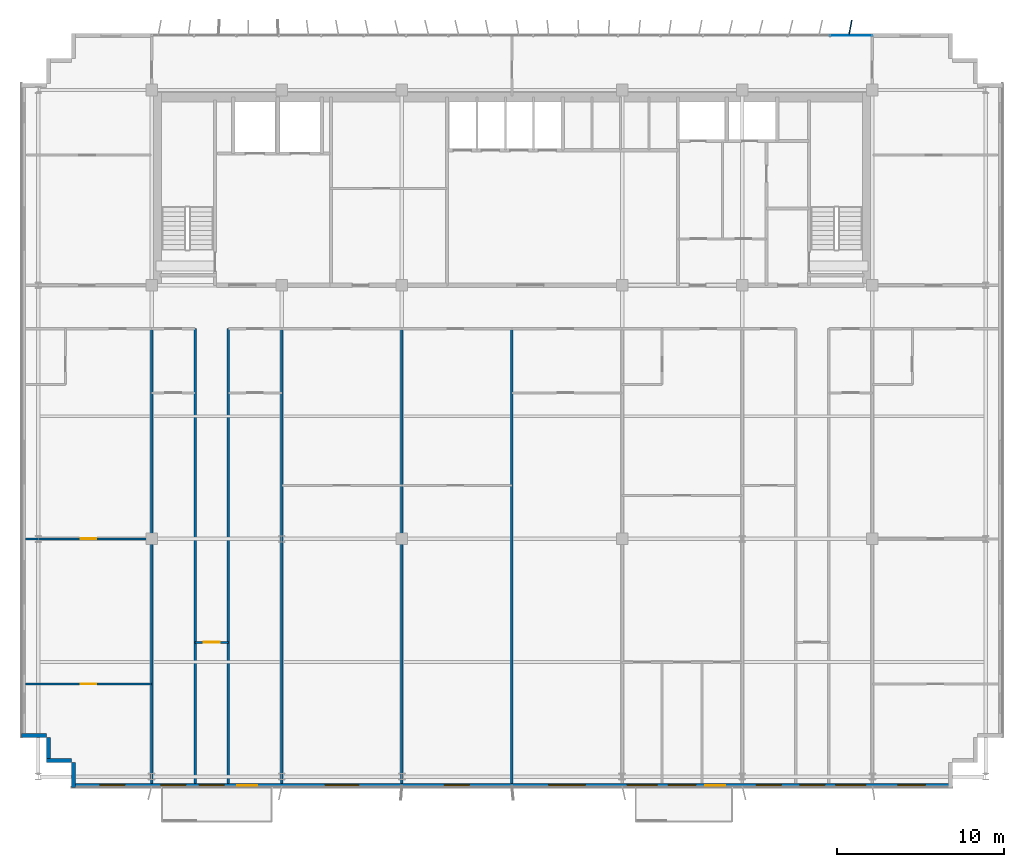
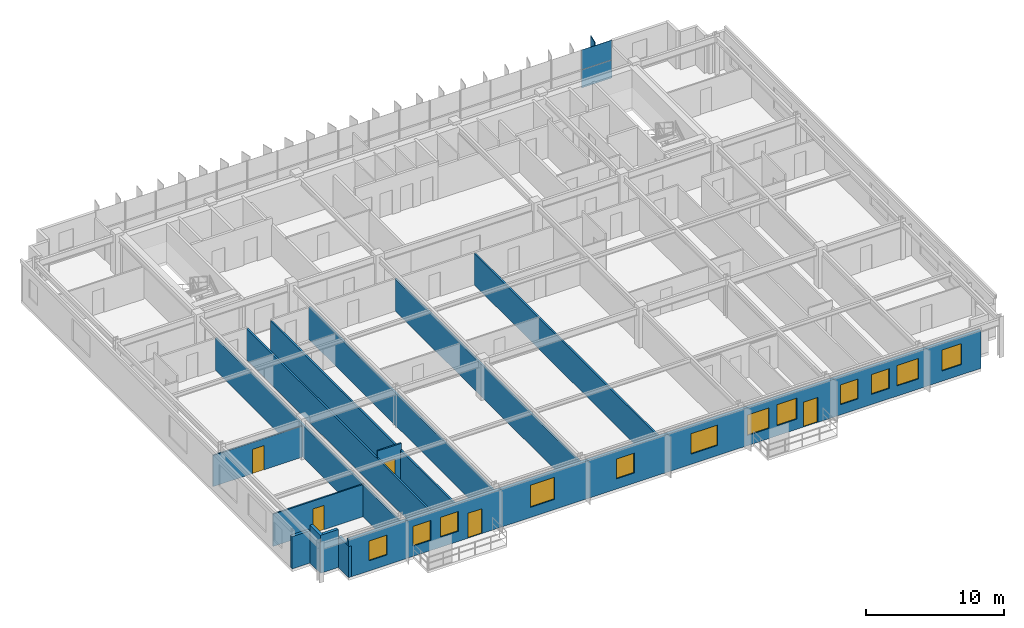
# One storey, part 14 of 20: 14 walls, 12 windows, 5 doors, 3 plates, 17 openings, 1 element without a shape of its own.
"""IFC4 building model written with IfcOpenShell, lengths in metres."""

from ifc_helpers import new_model, si_unit, direction, frame, frame_2d, origin, origin_2d, place, context, subcontext, project, spatial, rectangle, extrude, source, transform, mapped, material, layer, layer_set, type_object, element, fill, aggregate, save


model = new_model("IFC4")

# Units and contexts
model_context = context("Model", 3, precision=1e-05, world=origin(), true_north=direction((0.0, 1.0)))
body_context = subcontext(model_context, "Body", "Model", "MODEL_VIEW")
ifc_project = project(units=[si_unit("LENGTHUNIT", "METRE"), si_unit("AREAUNIT", "SQUARE_METRE"), si_unit("VOLUMEUNIT", "CUBIC_METRE"), si_unit("PLANEANGLEUNIT", "RADIAN"), si_unit("MASSUNIT", "GRAM", prefix="KILO")], contexts=[model_context])

# Site, building, storey
site_placement = place(None, origin())
site = spatial("IfcSite", under=ifc_project, at=site_placement, CompositionType="ELEMENT")
building_placement = place(site_placement, origin())
building = spatial("IfcBuilding", under=site, at=building_placement, Name="Trelvane Seafront Commons", CompositionType="ELEMENT")
storey_placement = place(building_placement, frame((0.0, 0.0, 168.10009765625)))
storey = spatial("IfcBuildingStorey", under=building, at=storey_placement, Name="L44", CompositionType="ELEMENT", Elevation=168.10009765625)

# Plate
ifc_material_1 = material(Name="Anodised pale-silver aluminium", Category="aluminium")
ifc_layer_1 = layer(ifc_material_1, 0.06005859375, Name="ARCH-PLATE-FIN900")
ifc_layer_set_1 = layer_set([ifc_layer_1], Name="Anodised pale-silver aluminium")
plate_type_1 = type_object("IfcPlateType", Name="ARCH-PLATE-FIN900", PredefinedType="USERDEFINED", material=ifc_layer_set_1)
shared_shape_1 = source(origin(), body_context, "Body", "SweptSolid", [
    extrude(rectangle(XDim=0.89990234375, YDim=0.06005859375, at=origin_2d()), origin(), (0.0, 0.0, 1.0), 3.639892578125),
])
plate_1_placement = place(storey_placement, frame((57.481689453125, 48.842529296875, -0.02001953125), z_axis=(0.0, 0.0, 1.0), x_axis=(0.181670897411, 0.983359387525, 0.0)))
element("IfcPlate", 1, at=plate_1_placement, inside=storey, type_object=plate_type_1, Name="FIN-L44-01239", ObjectType="FIN", PredefinedType="USERDEFINED", context=body_context, shape_type="MappedRepresentation", body=[
    mapped(shared_shape_1, transform((0.0, 0.0, 0.0), x_axis=(1.0, 0.0, 0.0), y_axis=(0.0, 1.0, 0.0), z_axis=(0.0, 0.0, 1.0), scale=1.0)),
])

# Curtain wall, plates
curtain_wall_type = type_object("IfcCurtainWallType", Name="ARCH-CW5-UPTOWER", PredefinedType="NOTDEFINED", material=ifc_material_1)
curtain_wall_placement = place(storey_placement, origin())
curtain_wall = element("IfcCurtainWall", 2, at=curtain_wall_placement, inside=storey, type_object=curtain_wall_type, Name="CW-L44-0071", PredefinedType="NOTDEFINED")
ifc_material_2 = material(Name="Low-E coastal double glazing", Category="glass")
ifc_layer_2 = layer(ifc_material_2, 0.033935546875, Name="ARCH-CW-GLAZ-34")
ifc_layer_set_2 = layer_set([ifc_layer_2], Name="Low-E coastal double glazing")
plate_type_2 = type_object("IfcPlateType", Name="ARCH-CW-GLAZ-34", PredefinedType="CURTAIN_PANEL", material=ifc_layer_set_2)
shared_shape_2 = source(origin(), body_context, "Body", "SweptSolid", [
    extrude(rectangle(XDim=2.51708984375, YDim=0.033935546875, at=origin_2d()), origin(), (0.0, 0.0, 1.0), 1.590087890625),
])
plate_2_placement = place(storey_placement, frame((57.529296875, 48.3701171875, 0.0), z_axis=(0.0, 0.0, 1.0), x_axis=(1.0, 0.0, 0.0)))
plate_2 = element("IfcPlate", 3, at=plate_2_placement, type_object=plate_type_2, Name="CW-L44-0071-P16-1", PredefinedType="CURTAIN_PANEL", context=body_context, shape_type="MappedRepresentation", body=[
    mapped(shared_shape_2, transform((0.0, 0.0, 0.0), x_axis=(1.0, 0.0, 0.0), y_axis=(0.0, 1.0, 0.0), z_axis=(0.0, 0.0, 1.0), scale=1.0)),
])
shared_shape_3 = source(origin(), body_context, "Body", "SweptSolid", [
    extrude(rectangle(XDim=2.51708984375, YDim=0.033935546875, at=origin_2d()), origin(), (0.0, 0.0, 1.0), 1.72412109375),
])
plate_3_placement = place(storey_placement, frame((57.529296875, 48.3701171875, 1.625732421875), z_axis=(0.0, 0.0, 1.0), x_axis=(1.0, 0.0, 0.0)))
plate_3 = element("IfcPlate", 4, at=plate_3_placement, type_object=plate_type_2, Name="CW-L44-0071-P16-2", PredefinedType="CURTAIN_PANEL", context=body_context, shape_type="MappedRepresentation", body=[
    mapped(shared_shape_3, transform((0.0, 0.0, 0.0), x_axis=(1.0, 0.0, 0.0), y_axis=(0.0, 1.0, 0.0), z_axis=(0.0, 0.0, 1.0), scale=1.0)),
])
aggregate(curtain_wall, [plate_2, plate_3])

# Walls
ifc_material_3 = material(Name="Precast concrete C40/50", Category="concrete")
ifc_layer_3 = layer(ifc_material_3, 0.239990234375, Name="ARCH-WALL-EXT240")
ifc_layer_set_3 = layer_set([ifc_layer_3], Name="Precast concrete C40/50")
wall_type_1 = type_object("IfcWallType", Name="ARCH-WALL-EXT240", PredefinedType="SOLIDWALL", material=ifc_layer_set_3)
for number, where, z_axis, x_axis, name in (
    (5, (10.800048828125, 4.919921875, 0.0), (0.0, 0.0, 1.0), (-1.0, 0.0, 0.0), "EW-L44-00865"),
    (6, (9.419921875, 4.800048828125, 0.0), (0.0, 0.0, 1.0), (0.0, 1.0, 0.0), "EW-L44-00866"),
):
    element("IfcWall", number, at=place(storey_placement, frame(where, z_axis=z_axis, x_axis=x_axis)), inside=storey, type_object=wall_type_1, Name=name, PredefinedType="SOLIDWALL", context=body_context, shape_type="SweptSolid", body=[
        extrude(rectangle(XDim=1.5, YDim=0.239990234375, at=frame_2d((0.75, 0.0))), origin(), (0.0, 0.0, 1.0), 3.349853515625),
    ])
wall_1_placement = place(storey_placement, frame((9.300048828125, 6.419921875, 0.0), z_axis=(0.0, 0.0, 1.0), x_axis=(-1.0, 0.0, 0.0)))
element("IfcWall", 7, at=wall_1_placement, inside=storey, type_object=wall_type_1, Name="EW-L44-00867", PredefinedType="SOLIDWALL", context=body_context, shape_type="SweptSolid", body=[
    extrude(rectangle(XDim=1.5, YDim=0.239990234375, at=frame_2d((0.75, 0.0))), origin(), (0.0, 0.0, 1.0), 2.849853515625),
])

# Wall, openings, doors, windows
wall_2_placement = place(storey_placement, frame((63.60009765625, 3.419921875, 0.0), z_axis=(0.0, 0.0, 1.0), x_axis=(-1.0, 0.0, 0.0)))
wall_2 = element("IfcWall", 8, at=wall_2_placement, inside=storey, type_object=wall_type_1, Name="EW-L44-00882", PredefinedType="SOLIDWALL", context=body_context, shape_type="SweptSolid", body=[
    extrude(rectangle(XDim=52.800048828125, YDim=0.239990234375, at=frame_2d((26.39990234375, 0.0))), origin(), (0.0, 0.0, 1.0), 3.349853515625),
])
opening_1_placement = place(wall_2_placement, frame((1.6201171875, 0.0, 0.89990234375)))
opening_1 = element("IfcOpeningElement", 9, at=opening_1_placement, cuts=wall_2, Name="Opening W07", PredefinedType="OPENING", context=body_context, shape_type="SweptSolid", body=[
    extrude(rectangle(XDim=1.64990234375, YDim=1.85009765625, at=frame_2d((0.824951171875, 0.925048828125))), frame((0.0, 0.1298828125, 0.0), z_axis=(0.0, -1.0, 0.0), x_axis=(1.0, 0.0, 0.0)), (0.0, 0.0, 1.0), 0.260009765625),
])
opening_2_placement = place(wall_2_placement, frame((5.199951171875, 0.0, 0.89990234375)))
opening_2 = element("IfcOpeningElement", 10, at=opening_2_placement, cuts=wall_2, Name="Opening W01", PredefinedType="OPENING", context=body_context, shape_type="SweptSolid", body=[
    extrude(rectangle(XDim=1.800048828125, YDim=1.800048828125, at=frame_2d((0.89990234375, 0.89990234375))), frame((0.0, 0.1298828125, 0.0), z_axis=(0.0, -1.0, 0.0), x_axis=(1.0, 0.0, 0.0)), (0.0, 0.0, 1.0), 0.260009765625),
])
opening_3_placement = place(wall_2_placement, frame((7.64990234375, 0.0, 0.89990234375)))
opening_3 = element("IfcOpeningElement", 11, at=opening_3_placement, cuts=wall_2, Name="Opening W03", PredefinedType="OPENING", context=body_context, shape_type="SweptSolid", body=[
    extrude(rectangle(XDim=1.5, YDim=1.75, at=frame_2d((0.75, 0.875))), frame((0.0, 0.1298828125, 0.0), z_axis=(0.0, -1.0, 0.0), x_axis=(1.0, 0.0, 0.0)), (0.0, 0.0, 1.0), 0.260009765625),
])
opening_4_placement = place(wall_2_placement, frame((10.25, 0.0, 0.89990234375)))
opening_4 = element("IfcOpeningElement", 12, at=opening_4_placement, cuts=wall_2, Name="Opening W03", PredefinedType="OPENING", context=body_context, shape_type="SweptSolid", body=[
    extrude(rectangle(XDim=1.5, YDim=1.75, at=frame_2d((0.75, 0.875))), frame((0.0, 0.1298828125, 0.0), z_axis=(0.0, -1.0, 0.0), x_axis=(1.0, 0.0, 0.0)), (0.0, 0.0, 1.0), 0.260009765625),
])
opening_5_placement = place(wall_2_placement, frame((13.6201171875, 0.0, 0.0)))
opening_5 = element("IfcOpeningElement", 13, at=opening_5_placement, cuts=wall_2, Name="Opening BD-L44-101", PredefinedType="OPENING", context=body_context, shape_type="SweptSolid", body=[
    extrude(rectangle(XDim=1.199951171875, YDim=2.199951171875, at=frame_2d((0.60009765625, 1.10009765625))), frame((0.0, 0.1298828125, 0.0), z_axis=(0.0, -1.0, 0.0), x_axis=(1.0, 0.0, 0.0)), (0.0, 0.0, 1.0), 0.260009765625),
])
opening_6_placement = place(wall_2_placement, frame((15.375, 0.0, 0.89990234375)))
opening_6 = element("IfcOpeningElement", 14, at=opening_6_placement, cuts=wall_2, Name="Opening W07", PredefinedType="OPENING", context=body_context, shape_type="SweptSolid", body=[
    extrude(rectangle(XDim=1.64990234375, YDim=1.85009765625, at=frame_2d((0.824951171875, 0.925048828125))), frame((0.0, 0.1298828125, 0.0), z_axis=(0.0, -1.0, 0.0), x_axis=(1.0, 0.0, 0.0)), (0.0, 0.0, 1.0), 0.260009765625),
])
opening_7_placement = place(wall_2_placement, frame((17.699951171875, 0.0, 0.89990234375)))
opening_7 = element("IfcOpeningElement", 15, at=opening_7_placement, cuts=wall_2, Name="Opening W01", PredefinedType="OPENING", context=body_context, shape_type="SweptSolid", body=[
    extrude(rectangle(XDim=1.800048828125, YDim=1.800048828125, at=frame_2d((0.89990234375, 0.89990234375))), frame((0.0, 0.1298828125, 0.0), z_axis=(0.0, -1.0, 0.0), x_axis=(1.0, 0.0, 0.0)), (0.0, 0.0, 1.0), 0.260009765625),
])
opening_8_placement = place(wall_2_placement, frame((22.0, 0.0, 0.89990234375)))
opening_8 = element("IfcOpeningElement", 16, at=opening_8_placement, cuts=wall_2, Name="Opening W02", PredefinedType="OPENING", context=body_context, shape_type="SweptSolid", body=[
    extrude(rectangle(XDim=2.199951171875, YDim=1.800048828125, at=frame_2d((1.10009765625, 0.89990234375))), frame((0.0, 0.1298828125, 0.0), z_axis=(0.0, -1.0, 0.0), x_axis=(1.0, 0.0, 0.0)), (0.0, 0.0, 1.0), 0.260009765625),
])
opening_9_placement = place(wall_2_placement, frame((28.949951171875, 0.0, 0.89990234375)))
opening_9 = element("IfcOpeningElement", 17, at=opening_9_placement, cuts=wall_2, Name="Opening W03", PredefinedType="OPENING", context=body_context, shape_type="SweptSolid", body=[
    extrude(rectangle(XDim=1.5, YDim=1.75, at=frame_2d((0.75, 0.875))), frame((0.0, 0.1298828125, 0.0), z_axis=(0.0, -1.0, 0.0), x_axis=(1.0, 0.0, 0.0)), (0.0, 0.0, 1.0), 0.260009765625),
])
opening_10_placement = place(wall_2_placement, frame((35.60009765625, 0.0, 0.89990234375)))
opening_10 = element("IfcOpeningElement", 18, at=opening_10_placement, cuts=wall_2, Name="Opening W06", PredefinedType="OPENING", context=body_context, shape_type="SweptSolid", body=[
    extrude(rectangle(XDim=2.0, YDim=1.949951171875, at=frame_2d((1.0, 0.97509765625))), frame((0.0, 0.1298828125, 0.0), z_axis=(0.0, -1.0, 0.0), x_axis=(1.0, 0.0, 0.0)), (0.0, 0.0, 1.0), 0.260009765625),
])
opening_11_placement = place(wall_2_placement, frame((41.656005859375, 0.0, 0.0)))
opening_11 = element("IfcOpeningElement", 19, at=opening_11_placement, cuts=wall_2, Name="Opening BD-L44-102", PredefinedType="OPENING", context=body_context, shape_type="SweptSolid", body=[
    extrude(rectangle(XDim=1.199951171875, YDim=2.199951171875, at=frame_2d((0.60009765625, 1.10009765625))), frame((0.0, 0.1298828125, 0.0), z_axis=(0.0, -1.0, 0.0), x_axis=(1.0, 0.0, 0.0)), (0.0, 0.0, 1.0), 0.260009765625),
])
opening_12_placement = place(wall_2_placement, frame((43.64990234375, 0.0, 0.89990234375)))
opening_12 = element("IfcOpeningElement", 20, at=opening_12_placement, cuts=wall_2, Name="Opening W03", PredefinedType="OPENING", context=body_context, shape_type="SweptSolid", body=[
    extrude(rectangle(XDim=1.5, YDim=1.75, at=frame_2d((0.75, 0.875))), frame((0.0, 0.1298828125, 0.0), z_axis=(0.0, -1.0, 0.0), x_axis=(1.0, 0.0, 0.0)), (0.0, 0.0, 1.0), 0.260009765625),
])
opening_13_placement = place(wall_2_placement, frame((45.949951171875, 0.0, 0.89990234375)))
opening_13 = element("IfcOpeningElement", 21, at=opening_13_placement, cuts=wall_2, Name="Opening W03", PredefinedType="OPENING", context=body_context, shape_type="SweptSolid", body=[
    extrude(rectangle(XDim=1.5, YDim=1.75, at=frame_2d((0.75, 0.875))), frame((0.0, 0.1298828125, 0.0), z_axis=(0.0, -1.0, 0.0), x_axis=(1.0, 0.0, 0.0)), (0.0, 0.0, 1.0), 0.260009765625),
])
opening_14_placement = place(wall_2_placement, frame((49.60498046875, 0.0, 0.89990234375)))
opening_14 = element("IfcOpeningElement", 22, at=opening_14_placement, cuts=wall_2, Name="Opening W03", PredefinedType="OPENING", context=body_context, shape_type="SweptSolid", body=[
    extrude(rectangle(XDim=1.5, YDim=1.75, at=frame_2d((0.75, 0.875))), frame((0.0, 0.1298828125, 0.0), z_axis=(0.0, -1.0, 0.0), x_axis=(1.0, 0.0, 0.0)), (0.0, 0.0, 1.0), 0.260009765625),
])
ifc_material_4 = material(Name="Powder-coated aluminium frame", Category="aluminium")
door_type_1 = type_object("IfcDoorType", Name="ARCH-DR-BAL1200", OperationType="NOTDEFINED", PredefinedType="DOOR", material=ifc_material_4)
shared_shape_4 = source(origin(), body_context, "Body", "SweptSolid", [
    extrude(rectangle(XDim=1.199951171875, YDim=2.199951171875, at=frame_2d((0.60009765625, 1.10009765625))), frame((0.0, 0.02490234375, 0.0), z_axis=(0.0, -1.0, 0.0), x_axis=(1.0, 0.0, 0.0)), (0.0, 0.0, 1.0), 0.050048828125),
])
door_1_placement = place(opening_5_placement, origin())
door_1 = element("IfcDoor", 23, at=door_1_placement, inside=storey, type_object=door_type_1, Name="L44 Balcony Terrace Access Door", OperationType="SINGLE_SWING_LEFT", OverallHeight=2.199951171875, OverallWidth=1.199951171875, PredefinedType="DOOR", context=body_context, shape_type="MappedRepresentation", body=[
    mapped(shared_shape_4, transform((0.0, 0.0, 0.0), x_axis=(1.0, 0.0, 0.0), y_axis=(0.0, 1.0, 0.0), z_axis=(0.0, 0.0, 1.0), scale=1.0)),
])
fill(opening_5, door_1)
door_2_placement = place(opening_11_placement, origin())
door_2 = element("IfcDoor", 24, at=door_2_placement, inside=storey, type_object=door_type_1, Name="L44 Balcony Terrace Access Door", OperationType="SINGLE_SWING_LEFT", OverallHeight=2.199951171875, OverallWidth=1.199951171875, PredefinedType="DOOR", context=body_context, shape_type="MappedRepresentation", body=[
    mapped(shared_shape_4, transform((0.0, 0.0, 0.0), x_axis=(1.0, 0.0, 0.0), y_axis=(0.0, 1.0, 0.0), z_axis=(0.0, 0.0, 1.0), scale=1.0)),
])
fill(opening_11, door_2)
window_type_1 = type_object("IfcWindowType", Name="ARCH-WIN-W02", PartitioningType="SINGLE_PANEL", PredefinedType="WINDOW", material=ifc_material_2)
shared_shape_5 = source(origin(), body_context, "Body", "SweptSolid", [
    extrude(rectangle(XDim=2.199951171875, YDim=1.800048828125, at=frame_2d((1.10009765625, 0.89990234375))), frame((0.0, 0.030029296875, 0.0), z_axis=(0.0, -1.0, 0.0), x_axis=(1.0, 0.0, 0.0)), (0.0, 0.0, 1.0), 0.06005859375),
])
window_1_placement = place(opening_8_placement, origin())
window_1 = element("IfcWindow", 25, at=window_1_placement, inside=storey, type_object=window_type_1, Name="WIN-L44-01058", OverallHeight=1.800048828125, OverallWidth=2.199951171875, PartitioningType="SINGLE_PANEL", PredefinedType="WINDOW", context=body_context, shape_type="MappedRepresentation", body=[
    mapped(shared_shape_5, transform((0.0, 0.0, 0.0), x_axis=(1.0, 0.0, 0.0), y_axis=(0.0, 1.0, 0.0), z_axis=(0.0, 0.0, 1.0), scale=1.0)),
])
fill(opening_8, window_1)
window_type_2 = type_object("IfcWindowType", Name="ARCH-WIN-W03", PartitioningType="SINGLE_PANEL", PredefinedType="WINDOW", material=ifc_material_2)
shared_shape_6 = source(origin(), body_context, "Body", "SweptSolid", [
    extrude(rectangle(XDim=1.5, YDim=1.75, at=frame_2d((0.75, 0.875))), frame((0.0, 0.030029296875, 0.0), z_axis=(0.0, -1.0, 0.0), x_axis=(1.0, 0.0, 0.0)), (0.0, 0.0, 1.0), 0.06005859375),
])
window_2_placement = place(opening_3_placement, origin())
window_2 = element("IfcWindow", 26, at=window_2_placement, inside=storey, type_object=window_type_2, Name="WIN-L44-01054", OverallHeight=1.75, OverallWidth=1.5, PartitioningType="SINGLE_PANEL", PredefinedType="WINDOW", context=body_context, shape_type="MappedRepresentation", body=[
    mapped(shared_shape_6, transform((0.0, 0.0, 0.0), x_axis=(1.0, 0.0, 0.0), y_axis=(0.0, 1.0, 0.0), z_axis=(0.0, 0.0, 1.0), scale=1.0)),
])
fill(opening_3, window_2)
window_3_placement = place(opening_4_placement, origin())
window_3 = element("IfcWindow", 27, at=window_3_placement, inside=storey, type_object=window_type_2, Name="WIN-L44-01055", OverallHeight=1.75, OverallWidth=1.5, PartitioningType="SINGLE_PANEL", PredefinedType="WINDOW", context=body_context, shape_type="MappedRepresentation", body=[
    mapped(shared_shape_6, transform((0.0, 0.0, 0.0), x_axis=(1.0, 0.0, 0.0), y_axis=(0.0, 1.0, 0.0), z_axis=(0.0, 0.0, 1.0), scale=1.0)),
])
fill(opening_4, window_3)
window_4_placement = place(opening_9_placement, origin())
window_4 = element("IfcWindow", 28, at=window_4_placement, inside=storey, type_object=window_type_2, Name="WIN-L44-01059", OverallHeight=1.75, OverallWidth=1.5, PartitioningType="SINGLE_PANEL", PredefinedType="WINDOW", context=body_context, shape_type="MappedRepresentation", body=[
    mapped(shared_shape_6, transform((0.0, 0.0, 0.0), x_axis=(1.0, 0.0, 0.0), y_axis=(0.0, 1.0, 0.0), z_axis=(0.0, 0.0, 1.0), scale=1.0)),
])
fill(opening_9, window_4)
window_5_placement = place(opening_12_placement, origin())
window_5 = element("IfcWindow", 29, at=window_5_placement, inside=storey, type_object=window_type_2, Name="WIN-L44-01061", OverallHeight=1.75, OverallWidth=1.5, PartitioningType="SINGLE_PANEL", PredefinedType="WINDOW", context=body_context, shape_type="MappedRepresentation", body=[
    mapped(shared_shape_6, transform((0.0, 0.0, 0.0), x_axis=(1.0, 0.0, 0.0), y_axis=(0.0, 1.0, 0.0), z_axis=(0.0, 0.0, 1.0), scale=1.0)),
])
fill(opening_12, window_5)
window_6_placement = place(opening_13_placement, origin())
window_6 = element("IfcWindow", 30, at=window_6_placement, inside=storey, type_object=window_type_2, Name="WIN-L44-01062", OverallHeight=1.75, OverallWidth=1.5, PartitioningType="SINGLE_PANEL", PredefinedType="WINDOW", context=body_context, shape_type="MappedRepresentation", body=[
    mapped(shared_shape_6, transform((0.0, 0.0, 0.0), x_axis=(1.0, 0.0, 0.0), y_axis=(0.0, 1.0, 0.0), z_axis=(0.0, 0.0, 1.0), scale=1.0)),
])
fill(opening_13, window_6)
window_7_placement = place(opening_14_placement, origin())
window_7 = element("IfcWindow", 31, at=window_7_placement, inside=storey, type_object=window_type_2, Name="WIN-L44-01063", OverallHeight=1.75, OverallWidth=1.5, PartitioningType="SINGLE_PANEL", PredefinedType="WINDOW", context=body_context, shape_type="MappedRepresentation", body=[
    mapped(shared_shape_6, transform((0.0, 0.0, 0.0), x_axis=(1.0, 0.0, 0.0), y_axis=(0.0, 1.0, 0.0), z_axis=(0.0, 0.0, 1.0), scale=1.0)),
])
fill(opening_14, window_7)
window_type_3 = type_object("IfcWindowType", Name="ARCH-WIN-W06", PartitioningType="SINGLE_PANEL", PredefinedType="WINDOW", material=ifc_material_2)
shared_shape_7 = source(origin(), body_context, "Body", "SweptSolid", [
    extrude(rectangle(XDim=2.0, YDim=1.949951171875, at=frame_2d((1.0, 0.97509765625))), frame((0.0, 0.030029296875, 0.0), z_axis=(0.0, -1.0, 0.0), x_axis=(1.0, 0.0, 0.0)), (0.0, 0.0, 1.0), 0.06005859375),
])
window_8_placement = place(opening_10_placement, origin())
window_8 = element("IfcWindow", 32, at=window_8_placement, inside=storey, type_object=window_type_3, Name="WIN-L44-01060", OverallHeight=1.949951171875, OverallWidth=2.0, PartitioningType="SINGLE_PANEL", PredefinedType="WINDOW", context=body_context, shape_type="MappedRepresentation", body=[
    mapped(shared_shape_7, transform((0.0, 0.0, 0.0), x_axis=(1.0, 0.0, 0.0), y_axis=(0.0, 1.0, 0.0), z_axis=(0.0, 0.0, 1.0), scale=1.0)),
])
fill(opening_10, window_8)
window_type_4 = type_object("IfcWindowType", Name="ARCH-WIN-W01", PartitioningType="SINGLE_PANEL", PredefinedType="WINDOW", material=ifc_material_2)
shared_shape_8 = source(origin(), body_context, "Body", "SweptSolid", [
    extrude(rectangle(XDim=1.800048828125, YDim=1.800048828125, at=frame_2d((0.89990234375, 0.89990234375))), frame((0.0, 0.030029296875, 0.0), z_axis=(0.0, -1.0, 0.0), x_axis=(1.0, 0.0, 0.0)), (0.0, 0.0, 1.0), 0.06005859375),
])
window_9_placement = place(opening_2_placement, origin())
window_9 = element("IfcWindow", 33, at=window_9_placement, inside=storey, type_object=window_type_4, Name="WIN-L44-01053", OverallHeight=1.800048828125, OverallWidth=1.800048828125, PartitioningType="SINGLE_PANEL", PredefinedType="WINDOW", context=body_context, shape_type="MappedRepresentation", body=[
    mapped(shared_shape_8, transform((0.0, 0.0, 0.0), x_axis=(1.0, 0.0, 0.0), y_axis=(0.0, 1.0, 0.0), z_axis=(0.0, 0.0, 1.0), scale=1.0)),
])
fill(opening_2, window_9)
window_10_placement = place(opening_7_placement, origin())
window_10 = element("IfcWindow", 34, at=window_10_placement, inside=storey, type_object=window_type_4, Name="WIN-L44-01057", OverallHeight=1.800048828125, OverallWidth=1.800048828125, PartitioningType="SINGLE_PANEL", PredefinedType="WINDOW", context=body_context, shape_type="MappedRepresentation", body=[
    mapped(shared_shape_8, transform((0.0, 0.0, 0.0), x_axis=(1.0, 0.0, 0.0), y_axis=(0.0, 1.0, 0.0), z_axis=(0.0, 0.0, 1.0), scale=1.0)),
])
fill(opening_7, window_10)
window_type_5 = type_object("IfcWindowType", Name="ARCH-WIN-W07", PartitioningType="SINGLE_PANEL", PredefinedType="WINDOW", material=ifc_material_2)
shared_shape_9 = source(origin(), body_context, "Body", "SweptSolid", [
    extrude(rectangle(XDim=1.64990234375, YDim=1.85009765625, at=frame_2d((0.824951171875, 0.925048828125))), frame((0.0, 0.030029296875, 0.0), z_axis=(0.0, -1.0, 0.0), x_axis=(1.0, 0.0, 0.0)), (0.0, 0.0, 1.0), 0.06005859375),
])
window_11_placement = place(opening_1_placement, origin())
window_11 = element("IfcWindow", 35, at=window_11_placement, inside=storey, type_object=window_type_5, Name="WIN-L44-01052", OverallHeight=1.85009765625, OverallWidth=1.64990234375, PartitioningType="SINGLE_PANEL", PredefinedType="WINDOW", context=body_context, shape_type="MappedRepresentation", body=[
    mapped(shared_shape_9, transform((0.0, 0.0, 0.0), x_axis=(1.0, 0.0, 0.0), y_axis=(0.0, 1.0, 0.0), z_axis=(0.0, 0.0, 1.0), scale=1.0)),
])
fill(opening_1, window_11)
window_12_placement = place(opening_6_placement, origin())
window_12 = element("IfcWindow", 36, at=window_12_placement, inside=storey, type_object=window_type_5, Name="WIN-L44-01056", OverallHeight=1.85009765625, OverallWidth=1.64990234375, PartitioningType="SINGLE_PANEL", PredefinedType="WINDOW", context=body_context, shape_type="MappedRepresentation", body=[
    mapped(shared_shape_9, transform((0.0, 0.0, 0.0), x_axis=(1.0, 0.0, 0.0), y_axis=(0.0, 1.0, 0.0), z_axis=(0.0, 0.0, 1.0), scale=1.0)),
])
fill(opening_6, window_12)

# Wall
wall_3_placement = place(storey_placement, frame((10.919921875, 3.300048828125, 0.0), z_axis=(0.0, 0.0, 1.0), x_axis=(0.0, 1.0, 0.0)))
element("IfcWall", 37, at=wall_3_placement, inside=storey, type_object=wall_type_1, Name="EW-L44-00883", PredefinedType="SOLIDWALL", context=body_context, shape_type="SweptSolid", body=[
    extrude(rectangle(XDim=1.5, YDim=0.239990234375, at=frame_2d((0.75, 0.0))), origin(), (0.0, 0.0, 1.0), 2.75),
])

# Wall, opening, door
ifc_material_5 = material(Name="Gypsum Drywall Acoustic Partition")
ifc_layer_4 = layer(ifc_material_5, 0.1201171875, Name="ARCH-WALL-PART120")
ifc_layer_set_4 = layer_set([ifc_layer_4], Name="Gypsum Drywall Acoustic Partition")
wall_type_2 = type_object("IfcWallType", Name="ARCH-WALL-PART120", PredefinedType="PARTITIONING", material=ifc_layer_set_4)
wall_4_placement = place(storey_placement, frame((8.0400390625, 18.199951171875, 0.0), z_axis=(0.0, 0.0, 1.0), x_axis=(1.0, 0.0, 0.0)))
wall_4 = element("IfcWall", 38, at=wall_4_placement, inside=storey, type_object=wall_type_2, Name="W-L44-U1-KL-050", PredefinedType="PARTITIONING", context=body_context, shape_type="SweptSolid", body=[
    extrude(rectangle(XDim=7.56005859375, YDim=0.1201171875, at=frame_2d((3.780029296875, 0.0))), origin(), (0.0, 0.0, 1.0), 2.75),
])
opening_15_placement = place(wall_4_placement, frame((3.304931640625, 0.0, 0.0)))
opening_15 = element("IfcOpeningElement", 39, at=opening_15_placement, cuts=wall_4, Name="Opening D-L44-27", PredefinedType="OPENING", context=body_context, shape_type="SweptSolid", body=[
    extrude(rectangle(XDim=0.949951171875, YDim=2.14990234375, at=frame_2d((0.47509765625, 1.074951171875))), frame((0.0, 0.070068359375, 0.0), z_axis=(0.0, -1.0, 0.0), x_axis=(1.0, 0.0, 0.0)), (0.0, 0.0, 1.0), 0.14013671875),
])
ifc_material_6 = material(Name="Acoustic timber door leaf", Category="wood")
door_type_2 = type_object("IfcDoorType", Name="ARCH-DR-INT950", OperationType="NOTDEFINED", PredefinedType="DOOR", material=ifc_material_6)
shared_shape_10 = source(origin(), body_context, "Body", "SweptSolid", [
    extrude(rectangle(XDim=0.949951171875, YDim=2.14990234375, at=frame_2d((0.47509765625, 1.074951171875))), frame((0.0, 0.02490234375, 0.0), z_axis=(0.0, -1.0, 0.0), x_axis=(1.0, 0.0, 0.0)), (0.0, 0.0, 1.0), 0.050048828125),
])
door_3_placement = place(opening_15_placement, origin())
door_3 = element("IfcDoor", 40, at=door_3_placement, inside=storey, type_object=door_type_2, Name="L44 Door 27", OperationType="SINGLE_SWING_LEFT", OverallHeight=2.14990234375, OverallWidth=0.949951171875, PredefinedType="DOOR", context=body_context, shape_type="MappedRepresentation", body=[
    mapped(shared_shape_10, transform((0.0, 0.0, 0.0), x_axis=(1.0, 0.0, 0.0), y_axis=(0.0, 1.0, 0.0), z_axis=(0.0, 0.0, 1.0), scale=1.0)),
])
fill(opening_15, door_3)

wall_5_placement = place(storey_placement, frame((8.0400390625, 9.5, 0.0), z_axis=(0.0, 0.0, 1.0), x_axis=(1.0, 0.0, 0.0)))
wall_5 = element("IfcWall", 41, at=wall_5_placement, inside=storey, type_object=wall_type_2, Name="W-L44-U1-YM-1-054", PredefinedType="PARTITIONING", context=body_context, shape_type="SweptSolid", body=[
    extrude(rectangle(XDim=7.56005859375, YDim=0.1201171875, at=frame_2d((3.780029296875, 0.0))), origin(), (0.0, 0.0, 1.0), 2.849853515625),
])
opening_16_placement = place(wall_5_placement, frame((3.304931640625, 0.0, 0.0)))
opening_16 = element("IfcOpeningElement", 42, at=opening_16_placement, cuts=wall_5, Name="Opening D-L44-30", PredefinedType="OPENING", context=body_context, shape_type="SweptSolid", body=[
    extrude(rectangle(XDim=0.949951171875, YDim=2.14990234375, at=frame_2d((0.47509765625, 1.074951171875))), frame((0.0, 0.070068359375, 0.0), z_axis=(0.0, -1.0, 0.0), x_axis=(1.0, 0.0, 0.0)), (0.0, 0.0, 1.0), 0.14013671875),
])
door_4_placement = place(opening_16_placement, origin())
door_4 = element("IfcDoor", 43, at=door_4_placement, inside=storey, type_object=door_type_2, Name="L44 Door 30", OperationType="SINGLE_SWING_RIGHT", OverallHeight=2.14990234375, OverallWidth=0.949951171875, PredefinedType="DOOR", context=body_context, shape_type="MappedRepresentation", body=[
    mapped(shared_shape_10, transform((0.0, 0.0, 0.0), x_axis=(1.0, 0.0, 0.0), y_axis=(0.0, 1.0, 0.0), z_axis=(0.0, 0.0, 1.0), scale=1.0)),
])
fill(opening_16, door_4)

wall_6_placement = place(storey_placement, frame((18.199951171875, 12.0, 0.0), z_axis=(0.0, 0.0, 1.0), x_axis=(1.0, 0.0, 0.0)))
wall_6 = element("IfcWall", 44, at=wall_6_placement, inside=storey, type_object=wall_type_2, Name="W-L44-ARM-END-3-059", PredefinedType="PARTITIONING", context=body_context, shape_type="SweptSolid", body=[
    extrude(rectangle(XDim=2.0, YDim=0.1201171875, at=frame_2d((1.0, 0.0))), origin(), (0.0, 0.0, 1.0), 3.349853515625),
])
opening_17_placement = place(wall_6_placement, frame((0.52001953125, 0.0, 0.0)))
opening_17 = element("IfcOpeningElement", 45, at=opening_17_placement, cuts=wall_6, Name="Opening D-L44-33", PredefinedType="OPENING", context=body_context, shape_type="SweptSolid", body=[
    extrude(rectangle(XDim=0.949951171875, YDim=2.14990234375, at=frame_2d((0.47509765625, 1.074951171875))), frame((0.0, 0.070068359375, 0.0), z_axis=(0.0, -1.0, 0.0), x_axis=(1.0, 0.0, 0.0)), (0.0, 0.0, 1.0), 0.14013671875),
])
door_5_placement = place(opening_17_placement, origin())
door_5 = element("IfcDoor", 46, at=door_5_placement, inside=storey, type_object=door_type_2, Name="L44 Door 33", OperationType="SINGLE_SWING_LEFT", OverallHeight=2.14990234375, OverallWidth=0.949951171875, PredefinedType="DOOR", context=body_context, shape_type="MappedRepresentation", body=[
    mapped(shared_shape_10, transform((0.0, 0.0, 0.0), x_axis=(1.0, 0.0, 0.0), y_axis=(0.0, 1.0, 0.0), z_axis=(0.0, 0.0, 1.0), scale=1.0)),
])
fill(opening_17, door_5)

# Walls
ifc_layer_5 = layer(ifc_material_5, 0.14990234375, Name="ARCH-WALL-PART150")
ifc_layer_set_5 = layer_set([ifc_layer_5], Name="Gypsum Drywall Acoustic Partition")
wall_type_3 = type_object("IfcWallType", Name="ARCH-WALL-PART150", PredefinedType="PARTITIONING", material=ifc_layer_set_5)
for number, where, z_axis, x_axis, name in (
    (47, (15.60009765625, 3.52490234375, 0.0), (0.0, 0.0, 1.0), (0.0, 1.0, 0.0), "W-L44-PW-1-043"),
    (48, (23.39990234375, 3.52490234375, 0.0), (0.0, 0.0, 1.0), (0.0, 1.0, 0.0), "W-L44-PW-4-044"),
    (49, (30.60009765625, 3.52490234375, 0.0), (0.0, 0.0, 1.0), (0.0, 1.0, 0.0), "W-L44-PW-5-045"),
):
    element("IfcWall", number, at=place(storey_placement, frame(where, z_axis=z_axis, x_axis=x_axis)), inside=storey, type_object=wall_type_3, Name=name, PredefinedType="PARTITIONING", context=body_context, shape_type="SweptSolid", body=[
        extrude(rectangle(XDim=27.275146484375, YDim=0.14990234375, at=frame_2d((13.6376953125, 0.0))), origin(), (0.0, 0.0, 1.0), 2.849853515625),
    ])
for number, where, z_axis, x_axis, name in (
    (50, (37.199951171875, 3.52490234375, 0.0), (0.0, 0.0, 1.0), (0.0, 1.0, 0.0), "W-L44-PW-6-046"),
    (51, (18.199951171875, 3.52490234375, 0.0), (0.0, 0.0, 1.0), (0.0, 1.0, 0.0), "W-L44-ARM-W-3-057"),
    (52, (20.199951171875, 3.52490234375, 0.0), (0.0, 0.0, 1.0), (0.0, 1.0, 0.0), "W-L44-ARM-E-3-058"),
):
    element("IfcWall", number, at=place(storey_placement, frame(where, z_axis=z_axis, x_axis=x_axis)), inside=storey, type_object=wall_type_3, Name=name, PredefinedType="PARTITIONING", context=body_context, shape_type="SweptSolid", body=[
        extrude(rectangle(XDim=27.275146484375, YDim=0.14990234375, at=frame_2d((13.6376953125, 0.0))), origin(), (0.0, 0.0, 1.0), 2.75),
    ])

save(model, "model.ifc")
